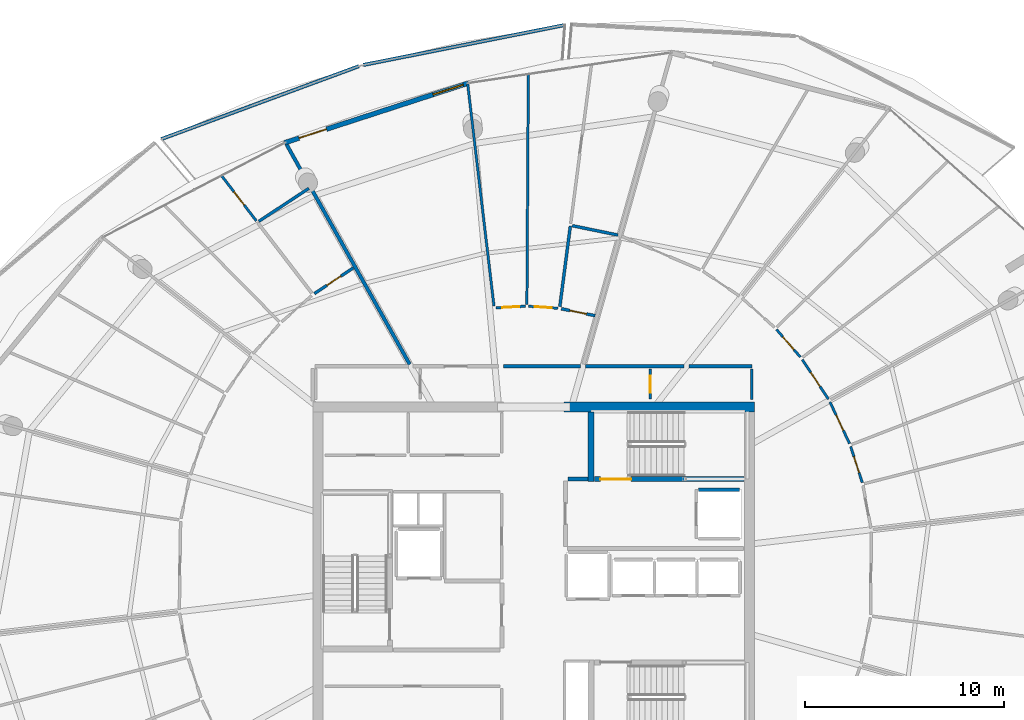
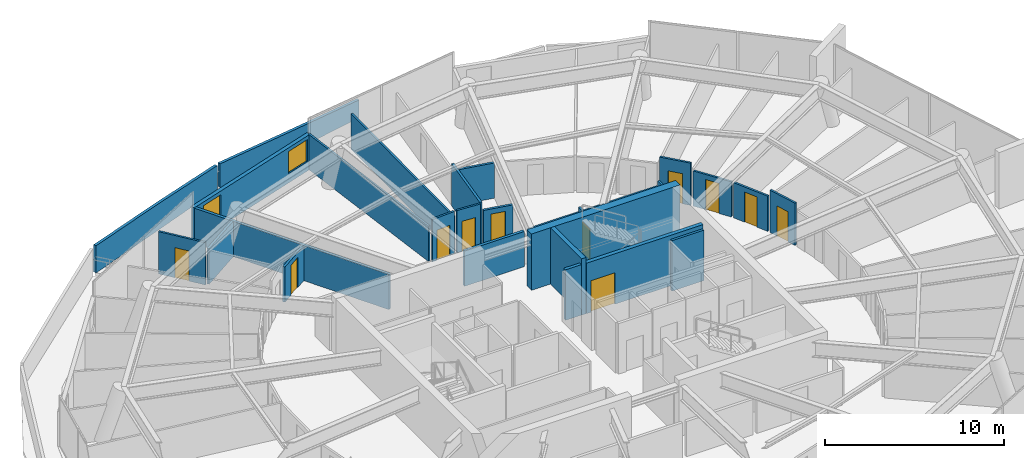
# One storey, part 22 of 30: 28 walls, 12 doors, 1 window, 13 openings.
"""IFC4 building model written with IfcOpenShell, lengths in metres."""

from ifc_helpers import new_model, si_unit, direction, frame, frame_2d, origin, place, context, subcontext, project, spatial, polyline, rectangle, outline, extrude, material, layer, layer_set, type_object, element, fill, save


model = new_model("IFC4")

# Units and contexts
model_context = context("Model", 3, precision=1e-05, world=origin(), true_north=direction((0.0, 1.0)))
body_context = subcontext(model_context, "Body", "Model", "MODEL_VIEW")
ifc_project = project(units=[si_unit("LENGTHUNIT", "METRE"), si_unit("AREAUNIT", "SQUARE_METRE"), si_unit("VOLUMEUNIT", "CUBIC_METRE"), si_unit("PLANEANGLEUNIT", "RADIAN"), si_unit("MASSUNIT", "GRAM", prefix="KILO")], contexts=[model_context])

# Site, building, storey
site_placement = place(None, origin())
site = spatial("IfcSite", under=ifc_project, at=site_placement, CompositionType="ELEMENT")
building_placement = place(site_placement, origin())
building = spatial("IfcBuilding", under=site, at=building_placement, Name="Kazma Halo Residences", CompositionType="ELEMENT")
storey_placement = place(building_placement, frame((0.0, 0.0, 302.14990234375)))
storey = spatial("IfcBuildingStorey", under=building, at=storey_placement, Name="L76", CompositionType="ELEMENT", Elevation=302.14990234375)

# Walls
ifc_material_1 = material(Name="White Concrete C50/60 Balustrade", Category="concrete")
ifc_layer_1 = layer(ifc_material_1, 0.179931640625)
ifc_layer_set_1 = layer_set([ifc_layer_1], Name="White Concrete C50/60 Balustrade")
wall_type_1 = type_object("IfcWallType", Name="WL-BAL-WAVE-180", PredefinedType="PARAPET", material=ifc_layer_set_1)
wall_1_placement = place(storey_placement, frame((49.994384765625, 69.486083984375, 0.0), z_axis=(0.0, 0.0, 1.0), x_axis=(-0.980919619001, -0.194413736807, 0.0)))
element("IfcWall", 1, at=wall_1_placement, inside=storey, type_object=wall_type_1, Name="L76 white wave balustrade wall NNW.1", PredefinedType="PARAPET", context=body_context, shape_type="SweptSolid", body=[
    extrude(outline(polyline([(0.0, 0.0), (10.34375, 0.0), (10.34375, 1.632080078125), (5.171875, 1.418212890625), (0.0, 1.233154296875), (0.0, 0.0)])), frame((0.0, 0.08984375, 0.0), z_axis=(0.0, -1.0, 0.0), x_axis=(1.0, 0.0, 0.0)), (0.0, 0.0, 1.0), 0.179931640625),
])
wall_2_placement = place(storey_placement, frame((39.61767578125, 67.410400390625, 0.0), z_axis=(0.0, 0.0, 1.0), x_axis=(-0.938191788678, -0.346115829828, 0.0)))
element("IfcWall", 2, at=wall_2_placement, inside=storey, type_object=wall_type_1, Name="L76 white wave balustrade wall NNW.2", PredefinedType="PARAPET", context=body_context, shape_type="SweptSolid", body=[
    extrude(outline(polyline([(0.0, 0.0), (10.61083984375, 0.0), (10.61083984375, 1.860107421875), (5.305419921875, 1.798095703125), (0.0, 1.632080078125), (0.0, 0.0)])), frame((0.0, 0.08984375, 0.0), z_axis=(0.0, -1.0, 0.0), x_axis=(1.0, 0.0, 0.0)), (0.0, 0.0, 1.0), 0.179931640625),
])
ifc_material_2 = material(Name="Concrete C60/75", Category="concrete")
ifc_layer_2 = layer(ifc_material_2, 0.5)
ifc_layer_set_2 = layer_set([ifc_layer_2], Name="Concrete C60/75")
wall_type_2 = type_object("IfcWallType", Name="WL-CORE-500", PredefinedType="SHEAR", material=ifc_layer_set_2)
wall_3_placement = place(storey_placement, frame((49.949951171875, 50.25, 0.0), z_axis=(0.0, 0.0, 1.0), x_axis=(1.0, 0.0, 0.0)))
element("IfcWall", 3, at=wall_3_placement, inside=storey, type_object=wall_type_2, Name="L76 central core shear wall NE", PredefinedType="SHEAR", context=body_context, shape_type="SweptSolid", body=[
    extrude(rectangle(XDim=9.60009765625, YDim=0.5, at=frame_2d((4.800048828125, 0.0))), origin(), (0.0, 0.0, 1.0), 3.85009765625),
])
ifc_layer_3 = layer(ifc_material_2, 0.280029296875)
ifc_layer_set_3 = layer_set([ifc_layer_3], Name="Concrete C60/75")
wall_type_3 = type_object("IfcWallType", Name="WL-CORE-ST-280", PredefinedType="SHEAR", material=ifc_layer_set_3)
wall_4_placement = place(storey_placement, frame((51.31005859375, 46.5, 0.0), z_axis=(0.0, 0.0, 1.0), x_axis=(0.0, 1.0, 0.0)))
element("IfcWall", 4, at=wall_4_placement, inside=storey, type_object=wall_type_3, Name="L76 stairwell bearing wall ST02-W", PredefinedType="SHEAR", context=body_context, shape_type="SweptSolid", body=[
    extrude(rectangle(XDim=3.5, YDim=0.280029296875, at=frame_2d((1.75, 0.0))), origin(), (0.0, 0.0, 1.0), 3.85009765625),
])
ifc_material_3 = material(Name="Acoustic Twin-Stud Gypsum")
ifc_layer_4 = layer(ifc_material_3, 0.179931640625)
ifc_layer_set_4 = layer_set([ifc_layer_4], Name="Acoustic Twin-Stud Gypsum")
wall_type_4 = type_object("IfcWallType", Name="WL-DEM-180", PredefinedType="PARTITIONING", material=ifc_layer_set_4)
wall_5_placement = place(storey_placement, frame((42.177978515625, 52.39599609375, 0.0), z_axis=(0.0, 0.0, 1.0), x_axis=(-0.48862858053, 0.872491896976, 0.0)))
element("IfcWall", 5, at=wall_5_placement, inside=storey, type_object=wall_type_4, Name="L76 apartment demising radial wall 04", PredefinedType="PARTITIONING", context=body_context, shape_type="SweptSolid", body=[
    extrude(rectangle(XDim=12.679443359375, YDim=0.179931640625, at=frame_2d((6.33984375, 0.0))), origin(), (0.0, 0.0, 1.0), 2.406982421875),
])
wall_6_placement = place(storey_placement, frame((50.784912109375, 52.300048828125, 0.0), z_axis=(0.0, 0.0, 1.0), x_axis=(-1.0, 0.0, 0.0)))
element("IfcWall", 6, at=wall_6_placement, inside=storey, type_object=wall_type_4, Name="L76 Apartment 1 inner wall 2", PredefinedType="PARTITIONING", context=body_context, shape_type="SweptSolid", body=[
    extrude(rectangle(XDim=3.884033203125, YDim=0.179931640625, at=frame_2d((1.94189453125, 0.0))), origin(), (0.0, 0.0, 1.0), 2.406982421875),
])
wall_7_placement = place(storey_placement, frame((59.429931640625, 52.300048828125, 0.0), z_axis=(0.0, 0.0, 1.0), x_axis=(-1.0, 0.0, 0.0)))
element("IfcWall", 7, at=wall_7_placement, inside=storey, type_object=wall_type_4, Name="L76 Apartment 2 inner wall 0", PredefinedType="PARTITIONING", context=body_context, shape_type="SweptSolid", body=[
    extrude(rectangle(XDim=3.18994140625, YDim=0.179931640625, at=frame_2d((1.594970703125, 0.0))), origin(), (0.0, 0.0, 1.0), 2.406982421875),
])
wall_8_placement = place(storey_placement, frame((56.0, 52.300048828125, 0.0), z_axis=(0.0, 0.0, 1.0), x_axis=(-1.0, 0.0, 0.0)))
element("IfcWall", 8, at=wall_8_placement, inside=storey, type_object=wall_type_4, Name="L76 Apartment 2 inner wall 1", PredefinedType="PARTITIONING", context=body_context, shape_type="SweptSolid", body=[
    extrude(rectangle(XDim=4.97509765625, YDim=0.179931640625, at=frame_2d((2.487548828125, 0.0))), origin(), (0.0, 0.0, 1.0), 2.406982421875),
])

# Wall, openings, door, window
ifc_material_4 = material(Name="Insulated Pale-Metal Composite Wall")
ifc_layer_5 = layer(ifc_material_4, 0.239990234375)
ifc_layer_set_5 = layer_set([ifc_layer_5], Name="Insulated Pale-Metal Composite Wall")
wall_type_5 = type_object("IfcWallType", Name="WL-EXT-HOST-240", PredefinedType="SOLIDWALL", material=ifc_layer_set_5)
wall_9_placement = place(storey_placement, frame((45.14208984375, 66.563720703125, 0.0), z_axis=(0.0, 0.0, 1.0), x_axis=(-0.951055974609, -0.309018661507, 0.0)))
wall_9 = element("IfcWall", 9, at=wall_9_placement, inside=storey, type_object=wall_type_5, Name="L76 exterior terrace-access wall B04", PredefinedType="SOLIDWALL", context=body_context, shape_type="SweptSolid", body=[
    extrude(rectangle(XDim=9.745361328125, YDim=0.239990234375, at=frame_2d((4.87255859375, 0.0))), origin(), (0.0, 0.0, 1.0), 2.400146484375),
])
opening_1_placement = place(wall_9_placement, frame((7.525390625, 0.0, 0.0)))
opening_1 = element("IfcOpeningElement", 10, at=opening_1_placement, cuts=wall_9, Name="Opening DTR-1600", PredefinedType="OPENING", context=body_context, shape_type="SweptSolid", body=[
    extrude(rectangle(XDim=1.449951171875, YDim=2.14990234375, at=frame_2d((0.72509765625, 1.074951171875))), frame((0.0, 0.1298828125, 0.0), z_axis=(0.0, -1.0, 0.0), x_axis=(1.0, 0.0, 0.0)), (0.0, 0.0, 1.0), 0.260009765625),
])
opening_2_placement = place(wall_9_placement, frame((0.280029296875, 0.0, 0.64990234375)))
opening_2 = element("IfcOpeningElement", 11, at=opening_2_placement, cuts=wall_9, Name="Opening W-1800", PredefinedType="OPENING", context=body_context, shape_type="SweptSolid", body=[
    extrude(rectangle(XDim=1.60009765625, YDim=1.5, at=frame_2d((0.800048828125, 0.75))), frame((0.0, 0.1298828125, 0.0), z_axis=(0.0, -1.0, 0.0), x_axis=(1.0, 0.0, 0.0)), (0.0, 0.0, 1.0), 0.260009765625),
])
ifc_material_5 = material(Name="Aluminium AW-6063 T6 Double-Glazed Terrace Door", Category="aluminium")
door_type_1 = type_object("IfcDoorType", Name="DR-EXT-TERR-1600", OperationType="NOTDEFINED", PredefinedType="DOOR", material=ifc_material_5)
door_1_placement = place(opening_1_placement, origin())
door_1 = element("IfcDoor", 12, at=door_1_placement, inside=storey, type_object=door_type_1, Name="L76 B04 balcony terrace door", OperationType="DOUBLE_DOOR_SLIDING", OverallHeight=2.14990234375, OverallWidth=1.449951171875, PredefinedType="DOOR", context=body_context, shape_type="SweptSolid", body=[
    extrude(rectangle(XDim=1.449951171875, YDim=2.14990234375, at=frame_2d((0.72509765625, 1.074951171875))), frame((0.0, 0.02490234375, 0.0), z_axis=(0.0, -1.0, 0.0), x_axis=(1.0, 0.0, 0.0)), (0.0, 0.0, 1.0), 0.050048828125),
])
fill(opening_1, door_1)
ifc_material_6 = material(Name="Clear Triple-Silver Low-E Glass in Aluminium AW-6063 T6 Frame", Category="aluminium")
window_type = type_object("IfcWindowType", Name="WIN-RES-1800", PartitioningType="DOUBLE_PANEL_VERTICAL", PredefinedType="WINDOW", material=ifc_material_6)
window_placement = place(opening_2_placement, origin())
window = element("IfcWindow", 13, at=window_placement, inside=storey, type_object=window_type, Name="L76 B04 apartment window", OverallHeight=1.5, OverallWidth=1.60009765625, PartitioningType="SINGLE_PANEL", PredefinedType="WINDOW", context=body_context, shape_type="SweptSolid", body=[
    extrude(rectangle(XDim=1.60009765625, YDim=1.5, at=frame_2d((0.800048828125, 0.75))), frame((0.0, 0.030029296875, 0.0), z_axis=(0.0, -1.0, 0.0), x_axis=(1.0, 0.0, 0.0)), (0.0, 0.0, 1.0), 0.06005859375),
])
fill(opening_2, window)

# Walls
ifc_material_7 = material(Name="Fire-Rated Blockwork Masonry", Category="masonry")
ifc_layer_6 = layer(ifc_material_7, 0.199951171875)
ifc_layer_set_6 = layer_set([ifc_layer_6], Name="Fire-Rated Blockwork Masonry")
wall_type_6 = type_object("IfcWallType", Name="WL-FLB-200", PredefinedType="PARTITIONING", material=ifc_layer_set_6)
wall_10_placement = place(storey_placement, frame((56.719970703125, 46.080078125, 0.0), z_axis=(0.0, 0.0, 1.0), x_axis=(1.0, 0.0, 0.0)))
element("IfcWall", 14, at=wall_10_placement, inside=storey, type_object=wall_type_6, Name="L76 lift shaft FL-02 side wall N", PredefinedType="PARTITIONING", context=body_context, shape_type="SweptSolid", body=[
    extrude(rectangle(XDim=2.06005859375, YDim=0.159912109375, at=frame_2d((1.030029296875, 0.0))), origin(), (0.0, 0.0, 1.0), 3.4501953125),
])
wall_11_placement = place(storey_placement, frame((50.139892578125, 46.6201171875, 0.0), z_axis=(0.0, 0.0, 1.0), x_axis=(1.0, 0.0, 0.0)))
element("IfcWall", 15, at=wall_11_placement, inside=storey, type_object=wall_type_6, Name="L76 east firefighting lobby north closure wall", PredefinedType="PARTITIONING", context=body_context, shape_type="SweptSolid", body=[
    extrude(rectangle(XDim=1.02001953125, YDim=0.199951171875, at=frame_2d((0.510009765625, 0.0))), origin(), (0.0, 0.0, 1.0), 3.4501953125),
])
ifc_material_8 = material(Name="Gypsum Plasterboard Partition")
ifc_layer_7 = layer(ifc_material_8, 0.125)
ifc_layer_set_7 = layer_set([ifc_layer_7], Name="Gypsum Plasterboard Partition")
wall_type_7 = type_object("IfcWallType", Name="WL-PART-125", PredefinedType="PARTITIONING", material=ifc_layer_set_7)
wall_12_placement = place(storey_placement, frame((59.409912109375, 50.6201171875, 0.0), z_axis=(0.0, 0.0, 1.0), x_axis=(0.0, 1.0, 0.0)))
element("IfcWall", 16, at=wall_12_placement, inside=storey, type_object=wall_type_7, Name="L76 east cupboard end wall", PredefinedType="PARTITIONING", context=body_context, shape_type="SweptSolid", body=[
    extrude(rectangle(XDim=1.539794921875, YDim=0.125, at=frame_2d((0.77001953125, 0.0))), origin(), (0.0, 0.0, 1.0), 2.89013671875),
])

# Wall, opening, door
wall_13_placement = place(storey_placement, frame((54.2900390625, 50.639892578125, 0.0), z_axis=(0.0, 0.0, 1.0), x_axis=(0.0, 1.0, 0.0)))
wall_13 = element("IfcWall", 17, at=wall_13_placement, inside=storey, type_object=wall_type_7, Name="L76 floor metering cupboard door wall", PredefinedType="PARTITIONING", context=body_context, shape_type="SweptSolid", body=[
    extrude(rectangle(XDim=1.52001953125, YDim=0.125, at=frame_2d((0.760009765625, 0.0))), origin(), (0.0, 0.0, 1.0), 2.89013671875),
])
opening_3_placement = place(wall_13_placement, frame((0.3349609375, 0.0, 0.0)))
opening_3 = element("IfcOpeningElement", 18, at=opening_3_placement, cuts=wall_13, Name="Opening DS-850", PredefinedType="OPENING", context=body_context, shape_type="SweptSolid", body=[
    extrude(rectangle(XDim=0.85009765625, YDim=2.06005859375, at=frame_2d((0.425048828125, 1.030029296875))), frame((0.0, 0.072509765625, 0.0), z_axis=(0.0, -1.0, 0.0), x_axis=(1.0, 0.0, 0.0)), (0.0, 0.0, 1.0), 0.14501953125),
])
ifc_material_9 = material(Name="Painted Steel Access Leaf", Category="steel")
door_type_2 = type_object("IfcDoorType", Name="DR-SVC-850", OperationType="NOTDEFINED", PredefinedType="DOOR", material=ifc_material_9)
door_2_placement = place(opening_3_placement, origin())
door_2 = element("IfcDoor", 19, at=door_2_placement, inside=storey, type_object=door_type_2, Name="L76 floor cupboard door", OperationType="SINGLE_SWING_RIGHT", OverallHeight=2.06005859375, OverallWidth=0.85009765625, PredefinedType="DOOR", context=body_context, shape_type="SweptSolid", body=[
    extrude(rectangle(XDim=0.85009765625, YDim=2.06005859375, at=frame_2d((0.425048828125, 1.030029296875))), frame((0.0, 0.02490234375, 0.0), z_axis=(0.0, -1.0, 0.0), x_axis=(1.0, 0.0, 0.0)), (0.0, 0.0, 1.0), 0.050048828125),
])
fill(opening_3, door_2)

# Walls
wall_14_placement = place(storey_placement, frame((46.422119140625, 55.331787109375, 0.0), z_axis=(0.0, 0.0, 1.0), x_axis=(-0.117545090782, 0.99306754636, 0.0)))
element("IfcWall", 20, at=wall_14_placement, inside=storey, type_object=wall_type_7, Name="L76 Apartment 1 living radial partition 2", PredefinedType="PARTITIONING", context=body_context, shape_type="SweptSolid", body=[
    extrude(rectangle(XDim=11.269775390625, YDim=0.125, at=frame_2d((5.634765625, 0.0))), origin(), (0.0, 0.0, 1.0), 2.406982421875),
])
wall_15_placement = place(storey_placement, frame((48.08154296875, 55.414794921875, 0.0), z_axis=(0.0, 0.0, 1.0), x_axis=(0.006098991746, 0.999981400977, 0.0)))
element("IfcWall", 21, at=wall_15_placement, inside=storey, type_object=wall_type_7, Name="L76 Apartment 1 suite divider 2", PredefinedType="PARTITIONING", context=body_context, shape_type="SweptSolid", body=[
    extrude(rectangle(XDim=11.568603515625, YDim=0.125, at=frame_2d((5.7841796875, 0.0))), origin(), (0.0, 0.0, 1.0), 2.425048828125),
])

# Wall, opening, door
wall_16_placement = place(storey_placement, frame((49.637451171875, 55.21875, 0.0), z_axis=(0.0, 0.0, 1.0), x_axis=(-0.997687761927, 0.067964179549, 0.0)))
wall_16 = element("IfcWall", 22, at=wall_16_placement, inside=storey, type_object=wall_type_7, Name="L76 Apartment 1 Gourmet Kitchen hall wall", PredefinedType="PARTITIONING", context=body_context, shape_type="SweptSolid", body=[
    extrude(rectangle(XDim=1.47998046875, YDim=0.125, at=frame_2d((0.739990234375, 0.0))), origin(), (0.0, 0.0, 1.0), 2.89013671875),
])
opening_4_placement = place(wall_16_placement, frame((0.31494140625, 0.0, 0.0)))
opening_4 = element("IfcOpeningElement", 23, at=opening_4_placement, cuts=wall_16, Name="Opening DB-900", PredefinedType="OPENING", context=body_context, shape_type="SweptSolid", body=[
    extrude(rectangle(XDim=0.85009765625, YDim=2.06005859375, at=frame_2d((0.425048828125, 1.030029296875))), frame((0.0, 0.072509765625, 0.0), z_axis=(0.0, -1.0, 0.0), x_axis=(1.0, 0.0, 0.0)), (0.0, 0.0, 1.0), 0.14501953125),
])
ifc_material_10 = material(Name="Moisture-Sealed Timber Leaf", Category="wood")
door_type_3 = type_object("IfcDoorType", Name="DR-BTH-900", OperationType="NOTDEFINED", PredefinedType="DOOR", material=ifc_material_10)
door_3_placement = place(opening_4_placement, origin())
door_3 = element("IfcDoor", 24, at=door_3_placement, inside=storey, type_object=door_type_3, Name="L76 Apartment 1 Gourmet Kitchen door", OperationType="SINGLE_SWING_LEFT", OverallHeight=2.06005859375, OverallWidth=0.85009765625, PredefinedType="DOOR", context=body_context, shape_type="SweptSolid", body=[
    extrude(rectangle(XDim=0.85009765625, YDim=2.06005859375, at=frame_2d((0.425048828125, 1.030029296875))), frame((0.0, 0.02490234375, 0.0), z_axis=(0.0, -1.0, 0.0), x_axis=(1.0, 0.0, 0.0)), (0.0, 0.0, 1.0), 0.050048828125),
])
fill(opening_4, door_3)

wall_17_placement = place(storey_placement, frame((48.001220703125, 55.3203125, 0.0), z_axis=(0.0, 0.0, 1.0), x_axis=(-0.998441385069, -0.0558103985, 0.0)))
wall_17 = element("IfcWall", 25, at=wall_17_placement, inside=storey, type_object=wall_type_7, Name="L76 Apartment 1 Primary Bedroom hall wall", PredefinedType="PARTITIONING", context=body_context, shape_type="SweptSolid", body=[
    extrude(rectangle(XDim=1.4697265625, YDim=0.125, at=frame_2d((0.73486328125, 0.0))), origin(), (0.0, 0.0, 1.0), 2.89013671875),
])
opening_5_placement = place(wall_17_placement, frame((0.309814453125, 0.0, 0.0)))
opening_5 = element("IfcOpeningElement", 26, at=opening_5_placement, cuts=wall_17, Name="Opening DB-900", PredefinedType="OPENING", context=body_context, shape_type="SweptSolid", body=[
    extrude(rectangle(XDim=0.85009765625, YDim=2.06005859375, at=frame_2d((0.425048828125, 1.030029296875))), frame((0.0, 0.072509765625, 0.0), z_axis=(0.0, -1.0, 0.0), x_axis=(1.0, 0.0, 0.0)), (0.0, 0.0, 1.0), 0.14501953125),
])
door_4_placement = place(opening_5_placement, origin())
door_4 = element("IfcDoor", 27, at=door_4_placement, inside=storey, type_object=door_type_3, Name="L76 Apartment 1 Primary Bedroom door", OperationType="SINGLE_SWING_RIGHT", OverallHeight=2.06005859375, OverallWidth=0.85009765625, PredefinedType="DOOR", context=body_context, shape_type="SweptSolid", body=[
    extrude(rectangle(XDim=0.85009765625, YDim=2.06005859375, at=frame_2d((0.425048828125, 1.030029296875))), frame((0.0, 0.02490234375, 0.0), z_axis=(0.0, -1.0, 0.0), x_axis=(1.0, 0.0, 0.0)), (0.0, 0.0, 1.0), 0.050048828125),
])
fill(opening_5, door_4)

wall_18_placement = place(storey_placement, frame((34.45361328125, 59.62060546875, 0.0), z_axis=(0.0, 0.0, 1.0), x_axis=(-0.609524178844, 0.792767478776, 0.0)))
wall_18 = element("IfcWall", 28, at=wall_18_placement, inside=storey, type_object=wall_type_7, Name="L76 Apartment 2 Utility Laundry Room partition wall", PredefinedType="PARTITIONING", context=body_context, shape_type="SweptSolid", body=[
    extrude(rectangle(XDim=2.845947265625, YDim=0.125, at=frame_2d((1.4228515625, 0.0))), origin(), (0.0, 0.0, 1.0), 2.89013671875),
])
opening_6_placement = place(wall_18_placement, frame((0.997802734375, 0.0, 0.0)))
opening_6 = element("IfcOpeningElement", 29, at=opening_6_placement, cuts=wall_18, Name="Opening DB-900", PredefinedType="OPENING", context=body_context, shape_type="SweptSolid", body=[
    extrude(rectangle(XDim=0.85009765625, YDim=2.06005859375, at=frame_2d((0.425048828125, 1.030029296875))), frame((0.0, 0.072509765625, 0.0), z_axis=(0.0, -1.0, 0.0), x_axis=(1.0, 0.0, 0.0)), (0.0, 0.0, 1.0), 0.14501953125),
])
door_5_placement = place(opening_6_placement, origin())
door_5 = element("IfcDoor", 30, at=door_5_placement, inside=storey, type_object=door_type_3, Name="L76 Apartment 2 Utility Laundry Room door", OperationType="SINGLE_SWING_RIGHT", OverallHeight=2.06005859375, OverallWidth=0.85009765625, PredefinedType="DOOR", context=body_context, shape_type="SweptSolid", body=[
    extrude(rectangle(XDim=0.85009765625, YDim=2.06005859375, at=frame_2d((0.425048828125, 1.030029296875))), frame((0.0, 0.02490234375, 0.0), z_axis=(0.0, -1.0, 0.0), x_axis=(1.0, 0.0, 0.0)), (0.0, 0.0, 1.0), 0.050048828125),
])
fill(opening_6, door_5)

wall_19_placement = place(storey_placement, frame((64.970458984375, 46.439697265625, 0.0), z_axis=(0.0, 0.0, 1.0), x_axis=(-0.305370578234, 0.952233590013, 0.0)))
wall_19 = element("IfcWall", 31, at=wall_19_placement, inside=storey, type_object=wall_type_7, Name="L76 Apartment 2 Secondary Dressing Wardrobe hall wall", PredefinedType="PARTITIONING", context=body_context, shape_type="SweptSolid", body=[
    extrude(rectangle(XDim=1.906005859375, YDim=0.125, at=frame_2d((0.953125, 0.0))), origin(), (0.0, 0.0, 1.0), 2.89013671875),
])
opening_7_placement = place(wall_19_placement, frame((0.528076171875, 0.0, 0.0)))
opening_7 = element("IfcOpeningElement", 32, at=opening_7_placement, cuts=wall_19, Name="Opening DB-900", PredefinedType="OPENING", context=body_context, shape_type="SweptSolid", body=[
    extrude(rectangle(XDim=0.85009765625, YDim=2.06005859375, at=frame_2d((0.425048828125, 1.030029296875))), frame((0.0, 0.072509765625, 0.0), z_axis=(0.0, -1.0, 0.0), x_axis=(1.0, 0.0, 0.0)), (0.0, 0.0, 1.0), 0.14501953125),
])
door_6_placement = place(opening_7_placement, origin())
door_6 = element("IfcDoor", 33, at=door_6_placement, inside=storey, type_object=door_type_3, Name="L76 Apartment 2 Secondary Dressing Wardrobe door", OperationType="SINGLE_SWING_RIGHT", OverallHeight=2.06005859375, OverallWidth=0.85009765625, PredefinedType="DOOR", context=body_context, shape_type="SweptSolid", body=[
    extrude(rectangle(XDim=0.85009765625, YDim=2.06005859375, at=frame_2d((0.425048828125, 1.030029296875))), frame((0.0, 0.02490234375, 0.0), z_axis=(0.0, -1.0, 0.0), x_axis=(1.0, 0.0, 0.0)), (0.0, 0.0, 1.0), 0.050048828125),
])
fill(opening_7, door_6)

wall_20_placement = place(storey_placement, frame((64.330078125, 48.4033203125, 0.0), z_axis=(0.0, 0.0, 1.0), x_axis=(-0.425771678031, 0.904830635084, 0.0)))
wall_20 = element("IfcWall", 34, at=wall_20_placement, inside=storey, type_object=wall_type_7, Name="L76 Apartment 2 East Master Bedroom hall wall", PredefinedType="PARTITIONING", context=body_context, shape_type="SweptSolid", body=[
    extrude(rectangle(XDim=2.318359375, YDim=0.125, at=frame_2d((1.1591796875, 0.0))), origin(), (0.0, 0.0, 1.0), 2.406982421875),
])
opening_8_placement = place(wall_20_placement, frame((0.734130859375, 0.0, 0.0)))
opening_8 = element("IfcOpeningElement", 35, at=opening_8_placement, cuts=wall_20, Name="Opening DB-900", PredefinedType="OPENING", context=body_context, shape_type="SweptSolid", body=[
    extrude(rectangle(XDim=0.85009765625, YDim=2.06005859375, at=frame_2d((0.425048828125, 1.030029296875))), frame((0.0, 0.072509765625, 0.0), z_axis=(0.0, -1.0, 0.0), x_axis=(1.0, 0.0, 0.0)), (0.0, 0.0, 1.0), 0.14501953125),
])
door_7_placement = place(opening_8_placement, origin())
door_7 = element("IfcDoor", 36, at=door_7_placement, inside=storey, type_object=door_type_3, Name="L76 Apartment 2 East Master Bedroom door", OperationType="SINGLE_SWING_LEFT", OverallHeight=2.06005859375, OverallWidth=0.85009765625, PredefinedType="DOOR", context=body_context, shape_type="SweptSolid", body=[
    extrude(rectangle(XDim=0.85009765625, YDim=2.06005859375, at=frame_2d((0.425048828125, 1.030029296875))), frame((0.0, 0.02490234375, 0.0), z_axis=(0.0, -1.0, 0.0), x_axis=(1.0, 0.0, 0.0)), (0.0, 0.0, 1.0), 0.050048828125),
])
fill(opening_8, door_7)

wall_21_placement = place(storey_placement, frame((63.2646484375, 50.64013671875, 0.0), z_axis=(0.0, 0.0, 1.0), x_axis=(-0.550634170063, 0.834746674602, 0.0)))
wall_21 = element("IfcWall", 37, at=wall_21_placement, inside=storey, type_object=wall_type_7, Name="L76 Apartment 2 South Master Bedroom hall wall", PredefinedType="PARTITIONING", context=body_context, shape_type="SweptSolid", body=[
    extrude(rectangle(XDim=2.38720703125, YDim=0.125, at=frame_2d((1.193603515625, 0.0))), origin(), (0.0, 0.0, 1.0), 2.406982421875),
])
opening_9_placement = place(wall_21_placement, frame((0.7685546875, 0.0, 0.0)))
opening_9 = element("IfcOpeningElement", 38, at=opening_9_placement, cuts=wall_21, Name="Opening DB-900", PredefinedType="OPENING", context=body_context, shape_type="SweptSolid", body=[
    extrude(rectangle(XDim=0.85009765625, YDim=2.06005859375, at=frame_2d((0.425048828125, 1.030029296875))), frame((0.0, 0.072509765625, 0.0), z_axis=(0.0, -1.0, 0.0), x_axis=(1.0, 0.0, 0.0)), (0.0, 0.0, 1.0), 0.14501953125),
])
door_8_placement = place(opening_9_placement, origin())
door_8 = element("IfcDoor", 39, at=door_8_placement, inside=storey, type_object=door_type_3, Name="L76 Apartment 2 South Master Bedroom door", OperationType="SINGLE_SWING_RIGHT", OverallHeight=2.06005859375, OverallWidth=0.85009765625, PredefinedType="DOOR", context=body_context, shape_type="SweptSolid", body=[
    extrude(rectangle(XDim=0.85009765625, YDim=2.06005859375, at=frame_2d((0.425048828125, 1.030029296875))), frame((0.0, 0.02490234375, 0.0), z_axis=(0.0, -1.0, 0.0), x_axis=(1.0, 0.0, 0.0)), (0.0, 0.0, 1.0), 0.050048828125),
])
fill(opening_9, door_8)

wall_22_placement = place(storey_placement, frame((61.85400390625, 52.760009765625, 0.0), z_axis=(0.0, 0.0, 1.0), x_axis=(-0.653948493608, 0.756539072162, 0.0)))
wall_22 = element("IfcWall", 40, at=wall_22_placement, inside=storey, type_object=wall_type_7, Name="L76 Apartment 2 Inner Study hall wall", PredefinedType="PARTITIONING", context=body_context, shape_type="SweptSolid", body=[
    extrude(rectangle(XDim=1.837158203125, YDim=0.125, at=frame_2d((0.91845703125, 0.0))), origin(), (0.0, 0.0, 1.0), 2.89013671875),
])
opening_10_placement = place(wall_22_placement, frame((0.49365234375, 0.0, 0.0)))
opening_10 = element("IfcOpeningElement", 41, at=opening_10_placement, cuts=wall_22, Name="Opening DB-900", PredefinedType="OPENING", context=body_context, shape_type="SweptSolid", body=[
    extrude(rectangle(XDim=0.85009765625, YDim=2.06005859375, at=frame_2d((0.425048828125, 1.030029296875))), frame((0.0, 0.072509765625, 0.0), z_axis=(0.0, -1.0, 0.0), x_axis=(1.0, 0.0, 0.0)), (0.0, 0.0, 1.0), 0.14501953125),
])
door_9_placement = place(opening_10_placement, origin())
door_9 = element("IfcDoor", 42, at=door_9_placement, inside=storey, type_object=door_type_3, Name="L76 Apartment 2 Inner Study door", OperationType="SINGLE_SWING_LEFT", OverallHeight=2.06005859375, OverallWidth=0.85009765625, PredefinedType="DOOR", context=body_context, shape_type="SweptSolid", body=[
    extrude(rectangle(XDim=0.85009765625, YDim=2.06005859375, at=frame_2d((0.425048828125, 1.030029296875))), frame((0.0, 0.02490234375, 0.0), z_axis=(0.0, -1.0, 0.0), x_axis=(1.0, 0.0, 0.0)), (0.0, 0.0, 1.0), 0.050048828125),
])
fill(opening_10, door_9)

ifc_material_11 = material(Name="Concrete C50/60", Category="concrete")
ifc_layer_8 = layer(ifc_material_11, 0.25)
ifc_layer_set_8 = layer_set([ifc_layer_8], Name="Concrete C50/60")
wall_type_8 = type_object("IfcWallType", Name="WL-SHF-250", PredefinedType="SOLIDWALL", material=ifc_layer_set_8)
wall_23_placement = place(storey_placement, frame((51.47998046875, 46.6201171875, 0.0), z_axis=(0.0, 0.0, 1.0), x_axis=(1.0, 0.0, 0.0)))
wall_23 = element("IfcWall", 43, at=wall_23_placement, inside=storey, type_object=wall_type_8, Name="L76 exit stair ST-02 enclosure wall", PredefinedType="SOLIDWALL", context=body_context, shape_type="SweptSolid", body=[
    extrude(rectangle(XDim=7.5400390625, YDim=0.25, at=frame_2d((3.77001953125, 0.0))), origin(), (0.0, 0.0, 1.0), 3.4501953125),
])
opening_11_placement = place(wall_23_placement, frame((0.300048828125, 0.0, 0.0)))
opening_11 = element("IfcOpeningElement", 44, at=opening_11_placement, cuts=wall_23, Name="Opening D-ST2", PredefinedType="OPENING", context=body_context, shape_type="SweptSolid", body=[
    extrude(rectangle(XDim=1.550048828125, YDim=2.14990234375, at=frame_2d((0.77490234375, 1.074951171875))), frame((0.0, 0.135009765625, 0.0), z_axis=(0.0, -1.0, 0.0), x_axis=(1.0, 0.0, 0.0)), (0.0, 0.0, 1.0), 0.27001953125),
])
ifc_material_12 = material(Name="Fire-Rated Double Steel Leaf", Category="steel")
door_type_4 = type_object("IfcDoorType", Name="DR-FD90-1550", OperationType="NOTDEFINED", PredefinedType="DOOR", material=ifc_material_12)
door_10_placement = place(opening_11_placement, origin())
door_10 = element("IfcDoor", 45, at=door_10_placement, inside=storey, type_object=door_type_4, Name="L76 exit stair ST-02 fire door", OperationType="DOUBLE_DOOR_SINGLE_SWING", OverallHeight=2.14990234375, OverallWidth=1.550048828125, PredefinedType="DOOR", context=body_context, shape_type="SweptSolid", body=[
    extrude(rectangle(XDim=1.550048828125, YDim=2.14990234375, at=frame_2d((0.77490234375, 1.074951171875))), frame((0.0, 0.02490234375, 0.0), z_axis=(0.0, -1.0, 0.0), x_axis=(1.0, 0.0, 0.0)), (0.0, 0.0, 1.0), 0.050048828125),
])
fill(opening_11, door_10)

ifc_material_13 = material(Name="Moisture-Resistant Gypsum")
ifc_layer_9 = layer(ifc_material_13, 0.14990234375)
ifc_layer_set_9 = layer_set([ifc_layer_9], Name="Moisture-Resistant Gypsum")
wall_type_9 = type_object("IfcWallType", Name="WL-WET-150", PredefinedType="PARTITIONING", material=ifc_layer_set_9)
wall_24_placement = place(storey_placement, frame((51.518798828125, 54.8447265625, 0.0), z_axis=(0.0, 0.0, 1.0), x_axis=(-0.979552357192, 0.201189412048, 0.0)))
wall_24 = element("IfcWall", 46, at=wall_24_placement, inside=storey, type_object=wall_type_9, Name="L76 Apartment 1 Guest Bathroom hall wall", PredefinedType="PARTITIONING", context=body_context, shape_type="SweptSolid", body=[
    extrude(rectangle(XDim=1.739013671875, YDim=0.14990234375, at=frame_2d((0.86962890625, 0.0))), origin(), (0.0, 0.0, 1.0), 2.406982421875),
])
opening_12_placement = place(wall_24_placement, frame((0.444580078125, 0.0, 0.0)))
opening_12 = element("IfcOpeningElement", 47, at=opening_12_placement, cuts=wall_24, Name="Opening DB-900", PredefinedType="OPENING", context=body_context, shape_type="SweptSolid", body=[
    extrude(rectangle(XDim=0.85009765625, YDim=2.06005859375, at=frame_2d((0.425048828125, 1.030029296875))), frame((0.0, 0.0849609375, 0.0), z_axis=(0.0, -1.0, 0.0), x_axis=(1.0, 0.0, 0.0)), (0.0, 0.0, 1.0), 0.169921875),
])
door_11_placement = place(opening_12_placement, origin())
door_11 = element("IfcDoor", 48, at=door_11_placement, inside=storey, type_object=door_type_3, Name="L76 Apartment 1 Guest Bathroom door", OperationType="SINGLE_SWING_LEFT", OverallHeight=2.06005859375, OverallWidth=0.85009765625, PredefinedType="DOOR", context=body_context, shape_type="SweptSolid", body=[
    extrude(rectangle(XDim=0.85009765625, YDim=2.06005859375, at=frame_2d((0.425048828125, 1.030029296875))), frame((0.0, 0.02490234375, 0.0), z_axis=(0.0, -1.0, 0.0), x_axis=(1.0, 0.0, 0.0)), (0.0, 0.0, 1.0), 0.050048828125),
])
fill(opening_12, door_11)

# Walls
wall_25_placement = place(storey_placement, frame((52.664306640625, 58.906494140625, 0.0), z_axis=(0.0, 0.0, 1.0), x_axis=(-0.979585392817, 0.201028500912, 0.0)))
element("IfcWall", 49, at=wall_25_placement, inside=storey, type_object=wall_type_9, Name="L76 Apartment 1 Guest Bathroom back wall", PredefinedType="PARTITIONING", context=body_context, shape_type="SweptSolid", body=[
    extrude(rectangle(XDim=2.35009765625, YDim=0.14990234375, at=frame_2d((1.175048828125, 0.0))), origin(), (0.0, 0.0, 1.0), 2.406982421875),
])
wall_26_placement = place(storey_placement, frame((49.739013671875, 55.3017578125, 0.0), z_axis=(0.0, 0.0, 1.0), x_axis=(0.129528016187, 0.991575762624, 0.0)))
element("IfcWall", 50, at=wall_26_placement, inside=storey, type_object=wall_type_9, Name="L76 Apartment 1 Guest Bathroom side wall", PredefinedType="PARTITIONING", context=body_context, shape_type="SweptSolid", body=[
    extrude(rectangle(XDim=4.090087890625, YDim=0.14990234375, at=frame_2d((2.044921875, 0.0))), origin(), (0.0, 0.0, 1.0), 2.89013671875),
])

# Wall, opening, door
wall_27_placement = place(storey_placement, frame((39.34326171875, 57.25390625, 0.0), z_axis=(0.0, 0.0, 1.0), x_axis=(-0.834820417885, -0.550522360929, 0.0)))
wall_27 = element("IfcWall", 51, at=wall_27_placement, inside=storey, type_object=wall_type_9, Name="L76 Apartment 2 Guest Bathroom hall wall", PredefinedType="PARTITIONING", context=body_context, shape_type="SweptSolid", body=[
    extrude(rectangle(XDim=2.350341796875, YDim=0.14990234375, at=frame_2d((1.17529296875, 0.0))), origin(), (0.0, 0.0, 1.0), 2.406982421875),
])
opening_13_placement = place(wall_27_placement, frame((0.750244140625, 0.0, 0.0)))
opening_13 = element("IfcOpeningElement", 52, at=opening_13_placement, cuts=wall_27, Name="Opening DB-900", PredefinedType="OPENING", context=body_context, shape_type="SweptSolid", body=[
    extrude(rectangle(XDim=0.85009765625, YDim=2.06005859375, at=frame_2d((0.425048828125, 1.030029296875))), frame((0.0, 0.0849609375, 0.0), z_axis=(0.0, -1.0, 0.0), x_axis=(1.0, 0.0, 0.0)), (0.0, 0.0, 1.0), 0.169921875),
])
door_12_placement = place(opening_13_placement, origin())
door_12 = element("IfcDoor", 53, at=door_12_placement, inside=storey, type_object=door_type_3, Name="L76 Apartment 2 Guest Bathroom door", OperationType="SINGLE_SWING_LEFT", OverallHeight=2.06005859375, OverallWidth=0.85009765625, PredefinedType="DOOR", context=body_context, shape_type="SweptSolid", body=[
    extrude(rectangle(XDim=0.85009765625, YDim=2.06005859375, at=frame_2d((0.425048828125, 1.030029296875))), frame((0.0, 0.02490234375, 0.0), z_axis=(0.0, -1.0, 0.0), x_axis=(1.0, 0.0, 0.0)), (0.0, 0.0, 1.0), 0.050048828125),
])
fill(opening_13, door_12)

# Wall
wall_28_placement = place(storey_placement, frame((37.100341796875, 61.258544921875, 0.0), z_axis=(0.0, 0.0, 1.0), x_axis=(-0.834830485099, -0.550507094549, 0.0)))
element("IfcWall", 54, at=wall_28_placement, inside=storey, type_object=wall_type_9, Name="L76 Apartment 2 Guest Bathroom back wall", PredefinedType="PARTITIONING", context=body_context, shape_type="SweptSolid", body=[
    extrude(rectangle(XDim=3.014892578125, YDim=0.14990234375, at=frame_2d((1.50732421875, 0.0))), origin(), (0.0, 0.0, 1.0), 2.425048828125),
])

save(model, "model.ifc")
